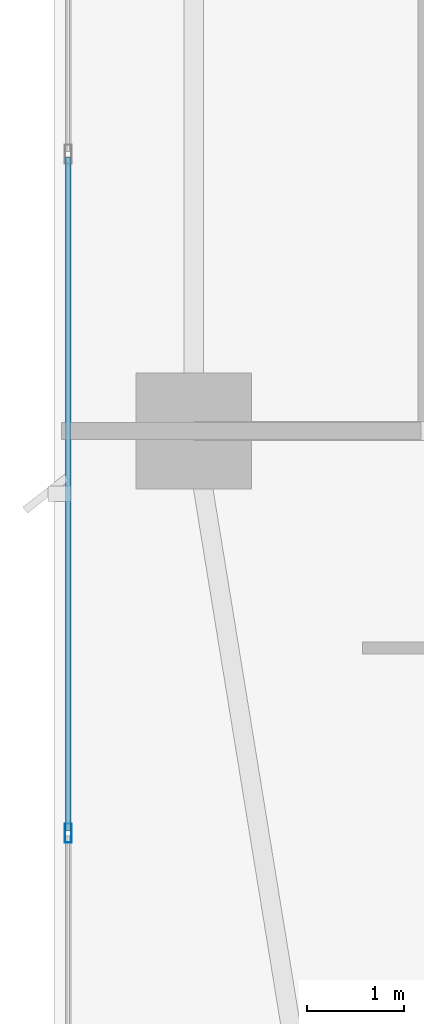
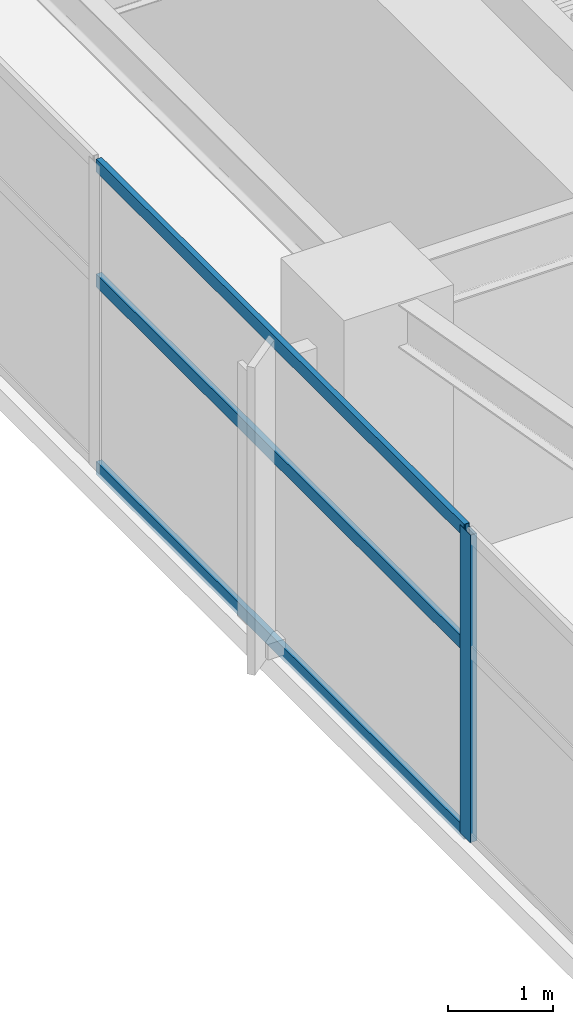
# One storey, part 4 of 29: 4 members, 1 element without a shape of its own.
"""IFC4 building model written with IfcOpenShell, lengths in metres."""

from ifc_helpers import new_model, si_unit, direction, frame, origin, origin_2d, place, context, subcontext, project, spatial, hollow_rectangle, extrude, material, layer, layer_set, material_profile, profile_set, type_object, element, aggregate, save


model = new_model("IFC4")

# Units and contexts
model_context = context("Model", 3, precision=1e-05, world=origin(), true_north=direction((0.0, 1.0)))
body_context = subcontext(model_context, "Body", "Model", "MODEL_VIEW")
ifc_project = project(units=[si_unit("LENGTHUNIT", "METRE"), si_unit("AREAUNIT", "SQUARE_METRE"), si_unit("VOLUMEUNIT", "CUBIC_METRE"), si_unit("PLANEANGLEUNIT", "RADIAN"), si_unit("MASSUNIT", "GRAM", prefix="KILO")], contexts=[model_context])

# Site, building, storey
site_placement = place(None, origin())
site = spatial("IfcSite", under=ifc_project, at=site_placement, CompositionType="ELEMENT")
building_placement = place(site_placement, origin())
building = spatial("IfcBuilding", under=site, at=building_placement, Name="Calvorn Quay Hotel", CompositionType="ELEMENT")
storey_placement = place(building_placement, frame((0.0, 0.0, 175.10009765625)))
storey = spatial("IfcBuildingStorey", under=building, at=storey_placement, Name="L43", CompositionType="ELEMENT", Elevation=175.10009765625)

# Curtain wall, members
ifc_material_1 = material(Name="Pale Anodised Aluminium and Low-E Glass", Category="aluminium")
ifc_layer = layer(ifc_material_1, 0.219970703125)
ifc_layer_set = layer_set([ifc_layer], Name="CW-SYS-Z2")
curtain_wall_type = type_object("IfcCurtainWallType", Name="CW-SYS-Z2", PredefinedType="NOTDEFINED", material=ifc_layer_set)
curtain_wall_placement = place(storey_placement, origin())
curtain_wall = element("IfcCurtainWall", 1, at=curtain_wall_placement, inside=storey, type_object=curtain_wall_type, Name="Tower West Curtain Wall (L43)", PredefinedType="NOTDEFINED")
ifc_material_2 = material(Name="Pale Anodised Aluminium 6063-T6", Category="aluminium")
ifc_material_profile_1 = material_profile(ifc_material_2, hollow_rectangle(XDim=0.070068359375, YDim=0.199951171875, WallThickness=0.00390625, at=origin_2d()), Name="ALU-M200x70x4")
ifc_profile_set_1 = profile_set([ifc_material_profile_1], Name="Pale Anodised Aluminium 6063-T6")
member_type_1 = type_object("IfcMemberType", Name="CW-SYS-Z2-MUL", PredefinedType="MULLION", material=ifc_profile_set_1)
member_1_placement = place(storey_placement, frame((0.14990234375, 12.63330078125, 0.0), z_axis=(0.0, 0.0, 1.0), x_axis=(-1.0, 0.0, 0.0)))
member_1 = element("IfcMember", 2, at=member_1_placement, type_object=member_type_1, Name="CW-L43-W mullion 2", PredefinedType="MULLION", context=body_context, shape_type="SweptSolid", body=[
    extrude(hollow_rectangle(XDim=0.070068359375, YDim=0.199951171875, WallThickness=0.00390625, at=origin_2d()), origin(), (0.0, 0.0, 1.0), 3.559814453125),
])
ifc_material_3 = material(Name="Pale Anodised Aluminium 6063-T6", Category="aluminium")
ifc_material_profile_2 = material_profile(ifc_material_3, hollow_rectangle(XDim=0.06005859375, YDim=0.14990234375, WallThickness=0.00341796875, at=origin_2d()), Name="ALU-T150x60x3.5")
ifc_profile_set_2 = profile_set([ifc_material_profile_2], Name="Pale Anodised Aluminium 6063-T6")
member_type_2 = type_object("IfcMemberType", Name="CW-SYS-Z2-TRN", PredefinedType="USERDEFINED", material=ifc_profile_set_2)
member_2_placement = place(storey_placement, frame((0.14990234375, 12.663330078125, 0.02978515625), z_axis=(0.0, 1.0, 0.0), x_axis=(-1.0, 0.0, 0.0)))
member_2 = element("IfcMember", 3, at=member_2_placement, type_object=member_type_2, Name="CW-L43-W transom 2.1", ObjectType="TRANSOM", PredefinedType="USERDEFINED", context=body_context, shape_type="SweptSolid", body=[
    extrude(hollow_rectangle(XDim=0.06005859375, YDim=0.14990234375, WallThickness=0.00341796875, at=origin_2d()), origin(), (0.0, 0.0, 1.0), 6.973388671875),
])
member_3_placement = place(storey_placement, frame((0.14990234375, 12.663330078125, 2.199951171875), z_axis=(0.0, 1.0, 0.0), x_axis=(-1.0, 0.0, 0.0)))
member_3 = element("IfcMember", 4, at=member_3_placement, type_object=member_type_2, Name="CW-L43-W transom 2.2", ObjectType="TRANSOM", PredefinedType="USERDEFINED", context=body_context, shape_type="SweptSolid", body=[
    extrude(hollow_rectangle(XDim=0.06005859375, YDim=0.14990234375, WallThickness=0.00341796875, at=origin_2d()), origin(), (0.0, 0.0, 1.0), 6.973388671875),
])
member_4_placement = place(storey_placement, frame((0.14990234375, 12.663330078125, 3.52978515625), z_axis=(0.0, 1.0, 0.0), x_axis=(-1.0, 0.0, 0.0)))
member_4 = element("IfcMember", 5, at=member_4_placement, type_object=member_type_2, Name="CW-L43-W transom 2.3", ObjectType="TRANSOM", PredefinedType="USERDEFINED", context=body_context, shape_type="SweptSolid", body=[
    extrude(hollow_rectangle(XDim=0.06005859375, YDim=0.14990234375, WallThickness=0.00341796875, at=origin_2d()), origin(), (0.0, 0.0, 1.0), 6.973388671875),
])
aggregate(curtain_wall, [member_1, member_2, member_3, member_4])

save(model, "model.ifc")
